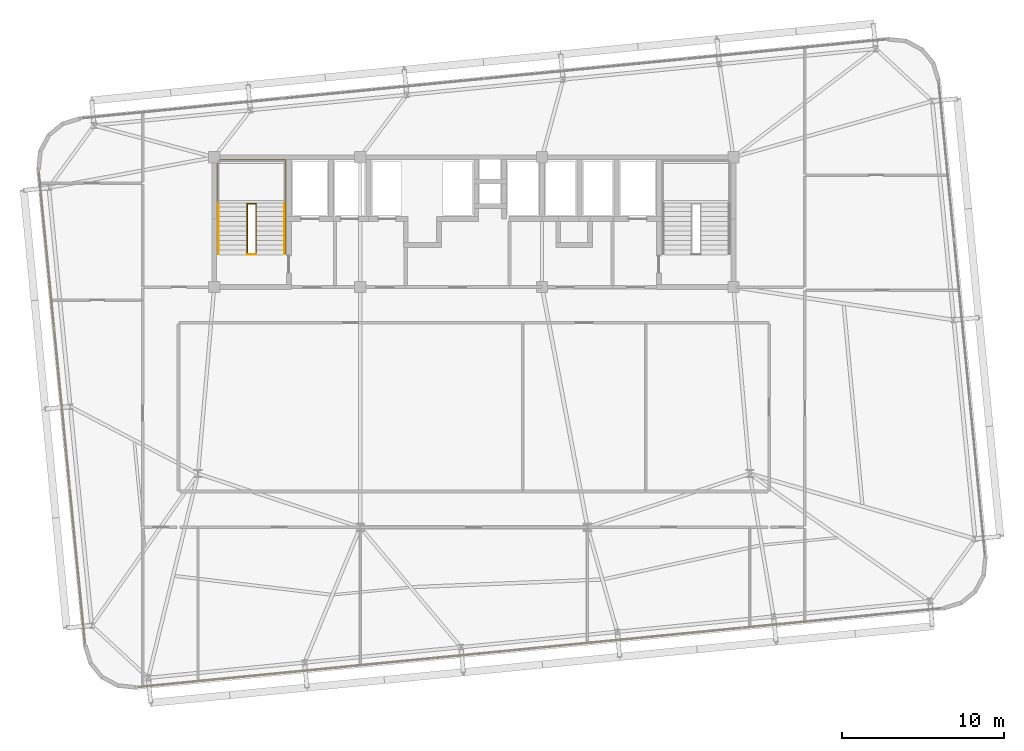
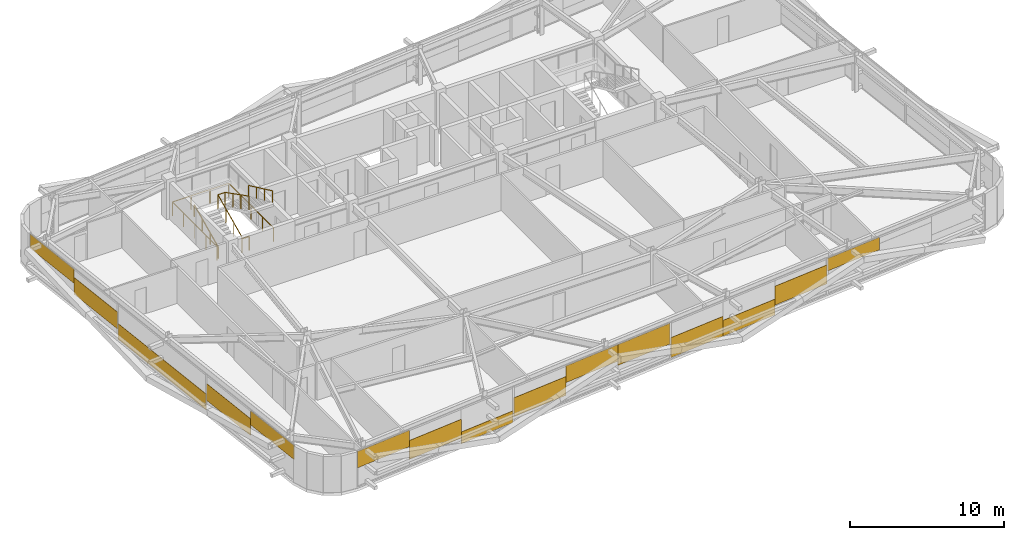
# One storey, part 45 of 47: 15 coverings, 5 railings.
"""IFC4 building model written with IfcOpenShell, lengths in metres."""

from ifc_helpers import new_model, si_unit, direction, frame, origin, origin_2d, place, context, subcontext, project, spatial, rectangle, extrude, source, transform, mapped, material, layer, layer_set, type_object, element, save


model = new_model("IFC4")

# Units and contexts
model_context = context("Model", 3, precision=1e-05, world=origin(), true_north=direction((0.0, 1.0)))
body_context = subcontext(model_context, "Body", "Model", "MODEL_VIEW")
ifc_project = project(units=[si_unit("LENGTHUNIT", "METRE"), si_unit("AREAUNIT", "SQUARE_METRE"), si_unit("VOLUMEUNIT", "CUBIC_METRE"), si_unit("PLANEANGLEUNIT", "RADIAN"), si_unit("MASSUNIT", "GRAM", prefix="KILO")], contexts=[model_context])

# Site, building, storey
site_placement = place(None, origin())
site = spatial("IfcSite", under=ifc_project, at=site_placement, CompositionType="ELEMENT")
building_placement = place(site_placement, origin())
building = spatial("IfcBuilding", under=site, at=building_placement, Name="Taldren Reach Tower", CompositionType="ELEMENT")
storey_placement = place(building_placement, frame((0.0, 0.0, 109.199951171875)))
storey = spatial("IfcBuildingStorey", under=building, at=storey_placement, Name="L33", CompositionType="ELEMENT", Elevation=109.199951171875)

# Railings
ifc_material_1 = material(Name="Steel Gr 350 (C350L0)", Category="steel")
ifc_layer_1 = layer(ifc_material_1, 0.050048828125)
ifc_layer_set_1 = layer_set([ifc_layer_1], Name="Steel Gr 350 (C350L0)")
railing_type_1 = type_object("IfcRailingType", Name="RL-STAIR-GR", PredefinedType="GUARDRAIL", material=ifc_layer_set_1)
railing_1_placement = place(storey_placement, frame((21.030029296875, 26.050048828125, 0.13134765625)))
element("IfcRailing", 1, at=railing_1_placement, inside=storey, type_object=railing_type_1, Name="Stairwell inner guard ST1-L33", PredefinedType="GUARDRAIL", context=body_context, shape_type="SweptSolid", body=[
    extrude(rectangle(XDim=0.047852, YDim=0.047852, at=origin_2d()), frame((0.0, 0.0, 1.09619140625), z_axis=(0.0, 0.905737652094, 0.423838773095), x_axis=(-1.0, 0.0, 0.0)), (0.0, 0.0, 1.0), 3.406005859375),
    extrude(rectangle(XDim=0.047852, YDim=0.047852, at=origin_2d()), frame((0.0, 3.0849609375, 2.53955078125), z_axis=(1.0, 0.0, 0.0), x_axis=(0.0, 1.0, 0.0)), (0.0, 0.0, 1.0), 0.5400390625),
    extrude(rectangle(XDim=0.047852, YDim=0.047852, at=origin_2d()), frame((0.5400390625, 3.0849609375, 2.53955078125), z_axis=(0.0, -0.890617412389, 0.454753366946), x_axis=(1.0, 0.0, 0.0)), (0.0, 0.0, 1.0), 3.4638671875),
    extrude(rectangle(XDim=0.041992, YDim=0.041992, at=origin_2d()), origin(), (0.0, 0.0, 1.0), 1.072021484375),
    extrude(rectangle(XDim=0.041992, YDim=0.041992, at=origin_2d()), frame((0.0, 1.0283203125, 0.481201171875)), (0.0, 0.0, 1.0), 1.072021484375),
    extrude(rectangle(XDim=0.041992, YDim=0.041992, at=origin_2d()), frame((0.0, 2.056640625, 0.96240234375)), (0.0, 0.0, 1.0), 1.072021484375),
    extrude(rectangle(XDim=0.041992, YDim=0.041992, at=origin_2d()), frame((0.0, 3.0849609375, 1.443603515625)), (0.0, 0.0, 1.0), 1.072021484375),
    extrude(rectangle(XDim=0.041992, YDim=0.041992, at=origin_2d()), frame((0.5400390625, 3.0849609375, 1.443603515625)), (0.0, 0.0, 1.0), 1.072021484375),
    extrude(rectangle(XDim=0.041992, YDim=0.041992, at=origin_2d()), frame((0.5400390625, 2.056640625, 1.96875)), (0.0, 0.0, 1.0), 1.072021484375),
    extrude(rectangle(XDim=0.041992, YDim=0.041992, at=origin_2d()), frame((0.5400390625, 1.0283203125, 2.49365234375)), (0.0, 0.0, 1.0), 1.072021484375),
    extrude(rectangle(XDim=0.041992, YDim=0.041992, at=origin_2d()), frame((0.5400390625, 0.0, 3.018798828125)), (0.0, 0.0, 1.0), 1.072021484375),
])
railing_2_placement = place(storey_placement, frame((21.030029296875, 26.010009765625, 0.0)))
element("IfcRailing", 2, at=railing_2_placement, inside=storey, type_object=railing_type_1, Name="Stairwell landing slot guard ST1-L33", PredefinedType="GUARDRAIL", context=body_context, shape_type="SweptSolid", body=[
    extrude(rectangle(XDim=0.047852, YDim=0.047852, at=origin_2d()), frame((0.0, 0.0, 1.09619140625), z_axis=(1.0, 0.0, 0.0), x_axis=(0.0, 1.0, 0.0)), (0.0, 0.0, 1.0), 0.5400390625),
    extrude(rectangle(XDim=0.041992, YDim=0.041992, at=origin_2d()), origin(), (0.0, 0.0, 1.0), 1.072021484375),
    extrude(rectangle(XDim=0.041992, YDim=0.041992, at=origin_2d()), frame((0.5400390625, 0.0, 0.0)), (0.0, 0.0, 1.0), 1.072021484375),
])
railing_3_placement = place(storey_placement, frame((19.18994140625, 26.050048828125, 0.0)))
element("IfcRailing", 3, at=railing_3_placement, inside=storey, type_object=railing_type_1, Name="Stairwell floor opening guard ST1-L33", PredefinedType="GUARDRAIL", context=body_context, shape_type="SweptSolid", body=[
    extrude(rectangle(XDim=0.047852, YDim=0.047852, at=origin_2d()), frame((0.0, 0.0, 1.09619140625), z_axis=(0.0, 1.0, 0.0), x_axis=(-1.0, 0.0, 0.0)), (0.0, 0.0, 1.0), 5.800048828125),
    extrude(rectangle(XDim=0.047852, YDim=0.047852, at=origin_2d()), frame((0.0, 5.800048828125, 1.09619140625), z_axis=(1.0, 0.0, 0.0), x_axis=(0.0, 1.0, 0.0)), (0.0, 0.0, 1.0), 4.219970703125),
    extrude(rectangle(XDim=0.047852, YDim=0.047852, at=origin_2d()), frame((4.219970703125, 5.800048828125, 1.09619140625), z_axis=(0.0, -1.0, 0.0), x_axis=(1.0, 0.0, 0.0)), (0.0, 0.0, 1.0), 5.800048828125),
    extrude(rectangle(XDim=0.041992, YDim=0.041992, at=origin_2d()), origin(), (0.0, 0.0, 1.0), 1.072021484375),
    extrude(rectangle(XDim=0.041992, YDim=0.041992, at=origin_2d()), frame((0.0, 1.449951171875, 0.0)), (0.0, 0.0, 1.0), 1.072021484375),
    extrude(rectangle(XDim=0.041992, YDim=0.041992, at=origin_2d()), frame((0.0, 2.89990234375, 0.0)), (0.0, 0.0, 1.0), 1.072021484375),
    extrude(rectangle(XDim=0.041992, YDim=0.041992, at=origin_2d()), frame((0.0, 4.35009765625, 0.0)), (0.0, 0.0, 1.0), 1.072021484375),
    extrude(rectangle(XDim=0.041992, YDim=0.041992, at=origin_2d()), frame((0.0, 5.800048828125, 0.0)), (0.0, 0.0, 1.0), 1.072021484375),
    extrude(rectangle(XDim=0.041992, YDim=0.041992, at=origin_2d()), frame((1.40673828125, 5.800048828125, 0.0)), (0.0, 0.0, 1.0), 1.072021484375),
    extrude(rectangle(XDim=0.041992, YDim=0.041992, at=origin_2d()), frame((2.813232421875, 5.800048828125, 0.0)), (0.0, 0.0, 1.0), 1.072021484375),
    extrude(rectangle(XDim=0.041992, YDim=0.041992, at=origin_2d()), frame((4.219970703125, 5.800048828125, 0.0)), (0.0, 0.0, 1.0), 1.072021484375),
    extrude(rectangle(XDim=0.041992, YDim=0.041992, at=origin_2d()), frame((4.219970703125, 4.35009765625, 0.0)), (0.0, 0.0, 1.0), 1.072021484375),
    extrude(rectangle(XDim=0.041992, YDim=0.041992, at=origin_2d()), frame((4.219970703125, 2.89990234375, 0.0)), (0.0, 0.0, 1.0), 1.072021484375),
    extrude(rectangle(XDim=0.041992, YDim=0.041992, at=origin_2d()), frame((4.219970703125, 1.449951171875, 0.0)), (0.0, 0.0, 1.0), 1.072021484375),
    extrude(rectangle(XDim=0.041992, YDim=0.041992, at=origin_2d()), frame((4.219970703125, 0.0, 0.0)), (0.0, 0.0, 1.0), 1.072021484375),
])
ifc_material_2 = material(Name="Stainless Steel Gr 316", Category="steel")
ifc_layer_2 = layer(ifc_material_2, 0.048095703125)
ifc_layer_set_2 = layer_set([ifc_layer_2], Name="Stainless Steel Gr 316")
railing_type_2 = type_object("IfcRailingType", Name="RL-STAIR-HR", PredefinedType="HANDRAIL", material=ifc_layer_set_2)
railing_4_placement = place(storey_placement, frame((19.27001953125, 26.050048828125, 0.13134765625)))
element("IfcRailing", 4, at=railing_4_placement, inside=storey, type_object=railing_type_2, Name="Stair flight handrail ST1-L33-1", PredefinedType="HANDRAIL", context=body_context, shape_type="SweptSolid", body=[
    extrude(rectangle(XDim=0.047852, YDim=0.047852, at=origin_2d()), frame((0.0, 0.0, 0.89599609375), z_axis=(0.0, 0.905737652094, 0.423838773095), x_axis=(-1.0, 0.0, 0.0)), (0.0, 0.0, 1.0), 3.406005859375),
    extrude(rectangle(XDim=0.041992, YDim=0.041992, at=origin_2d()), origin(), (0.0, 0.0, 1.0), 0.871826171875),
    extrude(rectangle(XDim=0.041992, YDim=0.041992, at=origin_2d()), frame((0.0, 1.0283203125, 0.481201171875)), (0.0, 0.0, 1.0), 0.871826171875),
    extrude(rectangle(XDim=0.041992, YDim=0.041992, at=origin_2d()), frame((0.0, 2.056640625, 0.96240234375)), (0.0, 0.0, 1.0), 0.871826171875),
    extrude(rectangle(XDim=0.041992, YDim=0.041992, at=origin_2d()), frame((0.0, 3.0849609375, 1.443603515625)), (0.0, 0.0, 1.0), 0.871826171875),
])
railing_5_placement = place(storey_placement, frame((23.330078125, 29.135009765625, 1.706298828125)))
element("IfcRailing", 5, at=railing_5_placement, inside=storey, type_object=railing_type_2, Name="Stair flight handrail ST1-L33-2", PredefinedType="HANDRAIL", context=body_context, shape_type="SweptSolid", body=[
    extrude(rectangle(XDim=0.047852, YDim=0.047852, at=origin_2d()), frame((0.0, 0.0, 0.89599609375), z_axis=(0.0, -0.905710134349, 0.423897573167), x_axis=(1.0, 0.0, 0.0)), (0.0, 0.0, 1.0), 3.406005859375),
    extrude(rectangle(XDim=0.041992, YDim=0.041992, at=origin_2d()), origin(), (0.0, 0.0, 1.0), 0.871826171875),
    extrude(rectangle(XDim=0.041992, YDim=0.041992, at=origin_2d()), frame((0.0, -1.0283203125, 0.481201171875)), (0.0, 0.0, 1.0), 0.871826171875),
    extrude(rectangle(XDim=0.041992, YDim=0.041992, at=origin_2d()), frame((0.0, -2.056640625, 0.962646484375)), (0.0, 0.0, 1.0), 0.871826171875),
    extrude(rectangle(XDim=0.041992, YDim=0.041992, at=origin_2d()), frame((0.0, -3.0849609375, 1.44384765625)), (0.0, 0.0, 1.0), 0.871826171875),
])

# Coverings
ifc_material_3 = material(Name="Pale Champagne Fluoropolymer Aluminium Spandrel Cladding", Category="aluminium")
ifc_layer_3 = layer(ifc_material_3, 0.0439453125)
ifc_layer_set_3 = layer_set([ifc_layer_3], Name="Pale Champagne Fluoropolymer Aluminium Spandrel Cladding")
covering_type = type_object("IfcCoveringType", Name="CV-CLAD-044", PredefinedType="CLADDING", material=ifc_layer_set_3)
shared_shape_1 = source(origin(), body_context, "Body", "SweptSolid", [
    extrude(rectangle(XDim=4.13427734375, YDim=0.0439453125, at=origin_2d()), origin(), (0.0, 0.0, 1.0), 1.299072265625),
])
covering_1_placement = place(storey_placement, frame((16.3095703125, -0.45751953125, 1.51611328125), z_axis=(0.0, 0.0, 1.0), x_axis=(0.995227390247, 0.097582999046, 0.0)))
element("IfcCovering", 6, at=covering_1_placement, inside=storey, type_object=covering_type, Name="Diagrid closure cladding strip CW-3 panel 1.1 1", PredefinedType="CLADDING", context=body_context, shape_type="MappedRepresentation", body=[
    mapped(shared_shape_1, transform((0.0, 0.0, 0.0), scale=1.0)),
])
shared_shape_2 = source(origin(), body_context, "Body", "SweptSolid", [
    extrude(rectangle(XDim=4.13427734375, YDim=0.0439453125, at=origin_2d()), origin(), (0.0, 0.0, 1.0), 1.495849609375),
])
covering_2_placement = place(storey_placement, frame((20.424072265625, -0.053955078125, 0.50390625), z_axis=(0.0, 0.0, 1.0), x_axis=(0.995227390247, 0.097582999046, 0.0)))
element("IfcCovering", 7, at=covering_2_placement, inside=storey, type_object=covering_type, Name="Diagrid closure cladding strip CW-3 panel 1.1 2", PredefinedType="CLADDING", context=body_context, shape_type="MappedRepresentation", body=[
    mapped(shared_shape_2, transform((0.0, 0.0, 0.0), scale=1.0)),
])
shared_shape_3 = source(origin(), body_context, "Body", "SweptSolid", [
    extrude(rectangle(XDim=4.13427734375, YDim=0.0439453125, at=origin_2d()), origin(), (0.0, 0.0, 1.0), 0.932373046875),
])
covering_3_placement = place(storey_placement, frame((24.53857421875, 0.349365234375, 0.05517578125), z_axis=(0.0, 0.0, 1.0), x_axis=(0.995227390247, 0.097582999046, 0.0)))
element("IfcCovering", 8, at=covering_3_placement, inside=storey, type_object=covering_type, Name="Diagrid closure cladding strip CW-3 panel 1.1 3", PredefinedType="CLADDING", context=body_context, shape_type="MappedRepresentation", body=[
    mapped(shared_shape_3, transform((0.0, 0.0, 0.0), scale=1.0)),
])
shared_shape_4 = source(origin(), body_context, "Body", "SweptSolid", [
    extrude(rectangle(XDim=4.14501953125, YDim=0.0439453125, at=origin_2d()), origin(), (0.0, 0.0, 1.0), 1.49853515625),
])
for number, where, z_axis, x_axis, name in (
    (9, (28.72314453125, 0.759765625, 0.480712890625), (0.0, 0.0, 1.0), (0.995227390247, 0.097582999046, 0.0), "Diagrid closure cladding strip CW-3 panel 2.1 1"),
    (10, (49.413818359375, 2.788330078125, 0.830810546875), (0.0, 0.0, 1.0), (0.995227390247, 0.097582999046, 0.0), "Diagrid closure cladding strip CW-3 panel 3.1 3"),
):
    element("IfcCovering", number, at=place(storey_placement, frame(where, z_axis=z_axis, x_axis=x_axis)), inside=storey, type_object=covering_type, Name=name, PredefinedType="CLADDING", context=body_context, shape_type="MappedRepresentation", body=[
        mapped(shared_shape_4, transform((0.0, 0.0, 0.0), scale=1.0)),
    ])
shared_shape_5 = source(origin(), body_context, "Body", "SweptSolid", [
    extrude(rectangle(XDim=4.14501953125, YDim=0.0439453125, at=origin_2d()), origin(), (0.0, 0.0, 1.0), 1.3193359375),
])
covering_4_placement = place(storey_placement, frame((32.84814453125, 1.1640625, 1.49560546875), z_axis=(0.0, 0.0, 1.0), x_axis=(0.995227390247, 0.097582999046, 0.0)))
element("IfcCovering", 11, at=covering_4_placement, inside=storey, type_object=covering_type, Name="Diagrid closure cladding strip CW-3 panel 2.1 2", PredefinedType="CLADDING", context=body_context, shape_type="MappedRepresentation", body=[
    mapped(shared_shape_5, transform((0.0, 0.0, 0.0), scale=1.0)),
])
shared_shape_6 = source(origin(), body_context, "Body", "SweptSolid", [
    extrude(rectangle(XDim=4.14501953125, YDim=0.0439453125, at=origin_2d()), origin(), (0.0, 0.0, 1.0), 1.643798828125),
])
covering_5_placement = place(storey_placement, frame((36.973388671875, 1.568603515625, 1.17138671875), z_axis=(0.0, 0.0, 1.0), x_axis=(0.995227390247, 0.097582999046, 0.0)))
element("IfcCovering", 12, at=covering_5_placement, inside=storey, type_object=covering_type, Name="Diagrid closure cladding strip CW-3 panel 2.1 3", PredefinedType="CLADDING", context=body_context, shape_type="MappedRepresentation", body=[
    mapped(shared_shape_6, transform((0.0, 0.0, 0.0), scale=1.0)),
])
shared_shape_7 = source(origin(), body_context, "Body", "SweptSolid", [
    extrude(rectangle(XDim=4.14501953125, YDim=0.0439453125, at=origin_2d()), origin(), (0.0, 0.0, 1.0), 1.583740234375),
])
covering_6_placement = place(storey_placement, frame((41.163330078125, 1.9794921875, 0.05517578125), z_axis=(0.0, 0.0, 1.0), x_axis=(0.995227390247, 0.097582999046, 0.0)))
element("IfcCovering", 13, at=covering_6_placement, inside=storey, type_object=covering_type, Name="Diagrid closure cladding strip CW-3 panel 3.1 1", PredefinedType="CLADDING", context=body_context, shape_type="MappedRepresentation", body=[
    mapped(shared_shape_7, transform((0.0, 0.0, 0.0), scale=1.0)),
])
shared_shape_8 = source(origin(), body_context, "Body", "SweptSolid", [
    extrude(rectangle(XDim=4.14501953125, YDim=0.0439453125, at=origin_2d()), origin(), (0.0, 0.0, 1.0), 1.259521484375),
])
covering_7_placement = place(storey_placement, frame((45.28857421875, 2.384033203125, 0.05517578125), z_axis=(0.0, 0.0, 1.0), x_axis=(0.995227390247, 0.097582999046, 0.0)))
element("IfcCovering", 14, at=covering_7_placement, inside=storey, type_object=covering_type, Name="Diagrid closure cladding strip CW-3 panel 3.1 2", PredefinedType="CLADDING", context=body_context, shape_type="MappedRepresentation", body=[
    mapped(shared_shape_8, transform((0.0, 0.0, 0.0), scale=1.0)),
])
shared_shape_9 = source(origin(), body_context, "Body", "SweptSolid", [
    extrude(rectangle(XDim=4.13427734375, YDim=0.0439453125, at=origin_2d()), origin(), (0.0, 0.0, 1.0), 0.992431640625),
])
covering_8_placement = place(storey_placement, frame((53.598388671875, 3.19873046875, 1.82275390625), z_axis=(0.0, 0.0, 1.0), x_axis=(0.995227390247, 0.097582999046, 0.0)))
element("IfcCovering", 15, at=covering_8_placement, inside=storey, type_object=covering_type, Name="Diagrid closure cladding strip CW-3 panel 4.1 1", PredefinedType="CLADDING", context=body_context, shape_type="MappedRepresentation", body=[
    mapped(shared_shape_9, transform((0.0, 0.0, 0.0), scale=1.0)),
])
shared_shape_10 = source(origin(), body_context, "Body", "SweptSolid", [
    extrude(rectangle(XDim=4.867919921875, YDim=0.0439453125, at=origin_2d()), origin(), (0.0, 0.0, 1.0), 1.116455078125),
])
for number, where, z_axis, x_axis, name in (
    (16, (8.427490234375, 28.77392578125, 1.69873046875), (0.0, 0.0, 1.0), (0.09758274098, -0.99522741555, 0.0), "Diagrid closure cladding strip CW-3 panel 1.1 1"),
    (17, (10.818359375, 4.388671875, 1.69873046875), (0.0, 0.0, 1.0), (0.09758274098, -0.99522741555, 0.0), "Diagrid closure cladding strip CW-3 panel 3.1 2"),
):
    element("IfcCovering", number, at=place(storey_placement, frame(where, z_axis=z_axis, x_axis=x_axis)), inside=storey, type_object=covering_type, Name=name, PredefinedType="CLADDING", context=body_context, shape_type="MappedRepresentation", body=[
        mapped(shared_shape_10, transform((0.0, 0.0, 0.0), scale=1.0)),
    ])
shared_shape_11 = source(origin(), body_context, "Body", "SweptSolid", [
    extrude(rectangle(XDim=4.867919921875, YDim=0.0439453125, at=origin_2d()), origin(), (0.0, 0.0, 1.0), 1.328369140625),
])
for number, where, z_axis, x_axis, name in (
    (18, (8.902587890625, 23.92919921875, 0.84716796875), (0.0, 0.0, 1.0), (0.09758274098, -0.99522741555, 0.0), "Diagrid closure cladding strip CW-3 panel 1.1 2"),
    (19, (10.343505859375, 9.2333984375, 0.84716796875), (0.0, 0.0, 1.0), (0.09758274098, -0.99522741555, 0.0), "Diagrid closure cladding strip CW-3 panel 3.1 1"),
):
    element("IfcCovering", number, at=place(storey_placement, frame(where, z_axis=z_axis, x_axis=x_axis)), inside=storey, type_object=covering_type, Name=name, PredefinedType="CLADDING", context=body_context, shape_type="MappedRepresentation", body=[
        mapped(shared_shape_11, transform((0.0, 0.0, 0.0), scale=1.0)),
    ])
shared_shape_12 = source(origin(), body_context, "Body", "SweptSolid", [
    extrude(rectangle(XDim=9.768310546875, YDim=0.0439453125, at=origin_2d()), origin(), (0.0, 0.0, 1.0), 1.2578125),
])
covering_9_placement = place(storey_placement, frame((9.623046875, 16.581298828125, 0.054931640625), z_axis=(0.0, 0.0, 1.0), x_axis=(0.09758274098, -0.99522741555, 0.0)))
element("IfcCovering", 20, at=covering_9_placement, inside=storey, type_object=covering_type, Name="Diagrid closure cladding strip CW-3 panel 2.1 1", PredefinedType="CLADDING", context=body_context, shape_type="MappedRepresentation", body=[
    mapped(shared_shape_12, transform((0.0, 0.0, 0.0), scale=1.0)),
])

save(model, "model.ifc")
